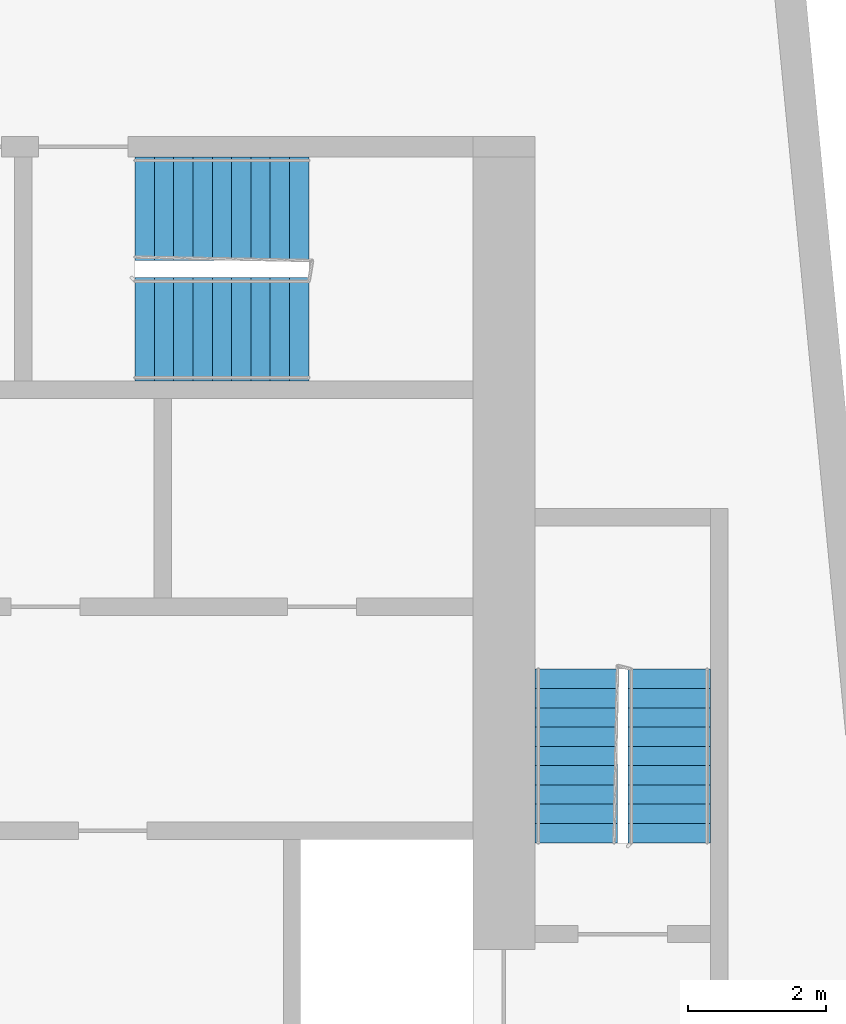
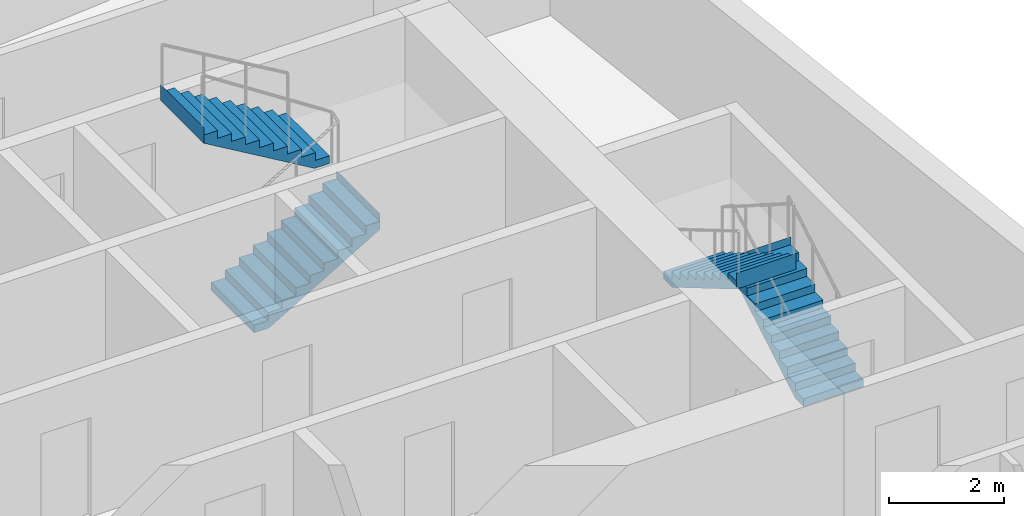
# One storey, part 10 of 11: 4 stair flights, 2 elements without a shape of their own.
"""IFC4 building model written with IfcOpenShell, lengths in metres."""

from ifc_helpers import new_model, si_unit, direction, frame, origin, place, context, subcontext, project, spatial, faceted_brep, material, type_object, element, aggregate, save


model = new_model("IFC4")

# Units and contexts
model_context = context("Model", 3, precision=1e-05, world=origin(), true_north=direction((0.0, 1.0)))
body_context = subcontext(model_context, "Body", "Model", "MODEL_VIEW")
ifc_project = project(units=[si_unit("LENGTHUNIT", "METRE"), si_unit("AREAUNIT", "SQUARE_METRE"), si_unit("VOLUMEUNIT", "CUBIC_METRE"), si_unit("PLANEANGLEUNIT", "RADIAN"), si_unit("MASSUNIT", "GRAM", prefix="KILO")], contexts=[model_context])

# Site, building, storey
site_placement = place(None, origin())
site = spatial("IfcSite", under=ifc_project, at=site_placement, CompositionType="ELEMENT")
building_placement = place(site_placement, origin())
building = spatial("IfcBuilding", under=site, at=building_placement, Name="Kajstack Hotel Tower", CompositionType="ELEMENT")
storey_placement = place(building_placement, frame((0.0, 0.0, 285.0)))
storey = spatial("IfcBuildingStorey", under=building, at=storey_placement, Name="L71", CompositionType="ELEMENT", Elevation=285.0)

# Stair, stair flights
ifc_material = material(Name="Concrete C40/50", Category="concrete")
stair_type_1 = type_object("IfcStairType", Name="Exit stair 1200", PredefinedType="HALF_TURN_STAIR", material=ifc_material)
stair_1_placement = place(storey_placement, origin())
stair_1 = element("IfcStair", 1, at=stair_1_placement, inside=storey, type_object=stair_type_1, Name="L71 stair E1", PredefinedType="HALF_TURN_STAIR")
stair_flight_type_1 = type_object("IfcStairFlightType", Name="Exit stair flight 1200", PredefinedType="STRAIGHT", material=ifc_material)
stair_flight_1_placement = place(storey_placement, frame((33.449951171875, 5.25, 0.0), z_axis=(0.0, 0.0, 1.0), x_axis=(0.0, 1.0, 0.0)))
stair_flight_1 = element("IfcStairFlight", 2, at=stair_flight_1_placement, type_object=stair_flight_type_1, Name="E1 flight 1", NumberOfRisers=10, NumberOfTreads=9, PredefinedType="STRAIGHT", RiserHeight=0.165, TreadLength=0.28, context=body_context, shape_type="Brep", body=[
    faceted_brep([(0.295654296875, -0.60009765625, 0.0), (2.5205078125, -0.60009765625, 1.31103515625), (2.5205078125, -0.60009765625, 1.64990234375), (2.52001953125, -0.60009765625, 1.64990234375), (2.52001953125, -0.60009765625, 1.485107421875), (2.239990234375, -0.60009765625, 1.485107421875), (2.239990234375, -0.60009765625, 1.320068359375), (1.9599609375, -0.60009765625, 1.320068359375), (1.9599609375, -0.60009765625, 1.155029296875), (1.679931640625, -0.60009765625, 1.155029296875), (1.679931640625, -0.60009765625, 0.989990234375), (1.39990234375, -0.60009765625, 0.989990234375), (1.39990234375, -0.60009765625, 0.824951171875), (1.1201171875, -0.60009765625, 0.824951171875), (1.1201171875, -0.60009765625, 0.659912109375), (0.840087890625, -0.60009765625, 0.659912109375), (0.840087890625, -0.60009765625, 0.4951171875), (0.56005859375, -0.60009765625, 0.4951171875), (0.56005859375, -0.60009765625, 0.330078125), (0.280029296875, -0.60009765625, 0.330078125), (0.280029296875, -0.60009765625, 0.1650390625), (-0.00048828125, -0.60009765625, 0.1650390625), (-0.00048828125, -0.60009765625, 0.0), (-0.00048828125, 0.60009765625, 0.0), (-0.00048828125, 0.60009765625, 0.1650390625), (0.280029296875, 0.60009765625, 0.1650390625), (0.280029296875, 0.60009765625, 0.330078125), (0.56005859375, 0.60009765625, 0.330078125), (0.56005859375, 0.60009765625, 0.4951171875), (0.840087890625, 0.60009765625, 0.4951171875), (0.840087890625, 0.60009765625, 0.659912109375), (1.1201171875, 0.60009765625, 0.659912109375), (1.1201171875, 0.60009765625, 0.824951171875), (1.39990234375, 0.60009765625, 0.824951171875), (1.39990234375, 0.60009765625, 0.989990234375), (1.679931640625, 0.60009765625, 0.989990234375), (1.679931640625, 0.60009765625, 1.155029296875), (1.9599609375, 0.60009765625, 1.155029296875), (1.9599609375, 0.60009765625, 1.320068359375), (2.239990234375, 0.60009765625, 1.320068359375), (2.239990234375, 0.60009765625, 1.485107421875), (2.52001953125, 0.60009765625, 1.485107421875), (2.52001953125, 0.60009765625, 1.64990234375), (2.5205078125, 0.60009765625, 1.64990234375), (2.5205078125, 0.60009765625, 1.31103515625), (0.295654296875, 0.60009765625, 0.0), (-0.00048828125, -0.300048828125, 0.1650390625), (-0.00048828125, 0.0, 0.1650390625), (-0.00048828125, 0.300048828125, 0.1650390625), (-0.00048828125, 0.300048828125, 0.0), (-0.00048828125, 0.0, 0.0), (-0.00048828125, -0.300048828125, 0.0), (0.280029296875, -0.300048828125, 0.1650390625), (0.280029296875, 0.0, 0.1650390625), (0.280029296875, 0.300048828125, 0.1650390625), (0.280029296875, -0.300048828125, 0.330078125), (0.280029296875, 0.0, 0.330078125), (0.280029296875, 0.300048828125, 0.330078125), (0.56005859375, -0.300048828125, 0.330078125), (0.56005859375, 0.0, 0.330078125), (0.56005859375, 0.300048828125, 0.330078125), (0.56005859375, -0.300048828125, 0.4951171875), (0.56005859375, 0.0, 0.4951171875), (0.56005859375, 0.300048828125, 0.4951171875), (0.840087890625, -0.300048828125, 0.4951171875), (0.840087890625, 0.0, 0.4951171875), (0.840087890625, 0.300048828125, 0.4951171875), (0.840087890625, -0.300048828125, 0.659912109375), (0.840087890625, 0.0, 0.659912109375), (0.840087890625, 0.300048828125, 0.659912109375), (1.1201171875, -0.300048828125, 0.659912109375), (1.1201171875, 0.0, 0.659912109375), (1.1201171875, 0.300048828125, 0.659912109375), (1.1201171875, -0.300048828125, 0.824951171875), (1.1201171875, 0.0, 0.824951171875), (1.1201171875, 0.300048828125, 0.824951171875), (1.39990234375, -0.300048828125, 0.824951171875), (1.39990234375, 0.0, 0.824951171875), (1.39990234375, 0.300048828125, 0.824951171875), (1.39990234375, -0.300048828125, 0.989990234375), (1.39990234375, 0.0, 0.989990234375), (1.39990234375, 0.300048828125, 0.989990234375), (1.679931640625, -0.300048828125, 0.989990234375), (1.679931640625, 0.0, 0.989990234375), (1.679931640625, 0.300048828125, 0.989990234375), (1.679931640625, -0.300048828125, 1.155029296875), (1.679931640625, 0.0, 1.155029296875), (1.679931640625, 0.300048828125, 1.155029296875), (1.9599609375, -0.300048828125, 1.155029296875), (1.9599609375, 0.0, 1.155029296875), (1.9599609375, 0.300048828125, 1.155029296875), (1.9599609375, -0.300048828125, 1.320068359375), (1.9599609375, 0.0, 1.320068359375), (1.9599609375, 0.300048828125, 1.320068359375), (2.239990234375, -0.300048828125, 1.320068359375), (2.239990234375, 0.0, 1.320068359375), (2.239990234375, 0.300048828125, 1.320068359375), (2.239990234375, -0.300048828125, 1.485107421875), (2.239990234375, 0.0, 1.485107421875), (2.239990234375, 0.300048828125, 1.485107421875), (2.52001953125, -0.300048828125, 1.485107421875), (2.52001953125, 0.0, 1.485107421875), (2.52001953125, 0.300048828125, 1.485107421875), (2.52001953125, -0.300048828125, 1.64990234375), (2.52001953125, 0.0, 1.64990234375), (2.52001953125, 0.300048828125, 1.64990234375), (2.5205078125, -0.300048828125, 1.64990234375), (2.5205078125, 0.0, 1.64990234375), (2.5205078125, 0.300048828125, 1.64990234375), (2.5205078125, -0.300048828125, 1.31103515625), (2.5205078125, 0.0, 1.31103515625), (2.5205078125, 0.300048828125, 1.31103515625), (0.295654296875, -0.300048828125, 0.0), (0.295654296875, 0.0, 0.0), (0.295654296875, 0.300048828125, 0.0)], [[[0, 1, 2, 3, 4, 5, 6, 7, 8, 9, 10, 11, 12, 13, 14, 15, 16, 17, 18, 19, 20, 21, 22]], [[23, 24, 25, 26, 27, 28, 29, 30, 31, 32, 33, 34, 35, 36, 37, 38, 39, 40, 41, 42, 43, 44, 45]], [[21, 46, 47, 48, 24, 23, 49, 50, 51, 22]], [[20, 52, 53, 54, 25, 24, 48, 47, 46, 21]], [[19, 55, 56, 57, 26, 25, 54, 53, 52, 20]], [[18, 58, 59, 60, 27, 26, 57, 56, 55, 19]], [[17, 61, 62, 63, 28, 27, 60, 59, 58, 18]], [[16, 64, 65, 66, 29, 28, 63, 62, 61, 17]], [[15, 67, 68, 69, 30, 29, 66, 65, 64, 16]], [[14, 70, 71, 72, 31, 30, 69, 68, 67, 15]], [[13, 73, 74, 75, 32, 31, 72, 71, 70, 14]], [[12, 76, 77, 78, 33, 32, 75, 74, 73, 13]], [[11, 79, 80, 81, 34, 33, 78, 77, 76, 12]], [[10, 82, 83, 84, 35, 34, 81, 80, 79, 11]], [[9, 85, 86, 87, 36, 35, 84, 83, 82, 10]], [[8, 88, 89, 90, 37, 36, 87, 86, 85, 9]], [[7, 91, 92, 93, 38, 37, 90, 89, 88, 8]], [[6, 94, 95, 96, 39, 38, 93, 92, 91, 7]], [[5, 97, 98, 99, 40, 39, 96, 95, 94, 6]], [[4, 100, 101, 102, 41, 40, 99, 98, 97, 5]], [[3, 103, 104, 105, 42, 41, 102, 101, 100, 4]], [[2, 106, 107, 108, 43, 42, 105, 104, 103, 3]], [[1, 109, 110, 111, 44, 43, 108, 107, 106, 2]], [[0, 112, 113, 114, 45, 44, 111, 110, 109, 1]], [[22, 51, 50, 49, 23, 45, 114, 113, 112, 0]]]),
])
stair_flight_2_placement = place(storey_placement, frame((32.10009765625, 7.77001953125, 1.64990234375), z_axis=(0.0, 0.0, 1.0), x_axis=(0.0, -1.0, 0.0)))
stair_flight_2 = element("IfcStairFlight", 3, at=stair_flight_2_placement, type_object=stair_flight_type_1, Name="E1 flight 2", NumberOfRisers=10, NumberOfTreads=9, PredefinedType="STRAIGHT", RiserHeight=0.165, TreadLength=0.28, context=body_context, shape_type="Brep", body=[
    faceted_brep([(0.295654296875, -0.60009765625, 0.0), (2.5205078125, -0.60009765625, 1.31103515625), (2.5205078125, -0.60009765625, 1.64990234375), (2.52001953125, -0.60009765625, 1.64990234375), (2.52001953125, -0.60009765625, 1.485107421875), (2.239990234375, -0.60009765625, 1.485107421875), (2.239990234375, -0.60009765625, 1.320068359375), (1.9599609375, -0.60009765625, 1.320068359375), (1.9599609375, -0.60009765625, 1.155029296875), (1.679931640625, -0.60009765625, 1.155029296875), (1.679931640625, -0.60009765625, 0.989990234375), (1.39990234375, -0.60009765625, 0.989990234375), (1.39990234375, -0.60009765625, 0.824951171875), (1.1201171875, -0.60009765625, 0.824951171875), (1.1201171875, -0.60009765625, 0.659912109375), (0.840087890625, -0.60009765625, 0.659912109375), (0.840087890625, -0.60009765625, 0.4951171875), (0.56005859375, -0.60009765625, 0.4951171875), (0.56005859375, -0.60009765625, 0.330078125), (0.280029296875, -0.60009765625, 0.330078125), (0.280029296875, -0.60009765625, 0.1650390625), (-0.00048828125, -0.60009765625, 0.1650390625), (-0.00048828125, -0.60009765625, 0.0), (-0.00048828125, 0.60009765625, 0.0), (-0.00048828125, 0.60009765625, 0.1650390625), (0.280029296875, 0.60009765625, 0.1650390625), (0.280029296875, 0.60009765625, 0.330078125), (0.56005859375, 0.60009765625, 0.330078125), (0.56005859375, 0.60009765625, 0.4951171875), (0.840087890625, 0.60009765625, 0.4951171875), (0.840087890625, 0.60009765625, 0.659912109375), (1.1201171875, 0.60009765625, 0.659912109375), (1.1201171875, 0.60009765625, 0.824951171875), (1.39990234375, 0.60009765625, 0.824951171875), (1.39990234375, 0.60009765625, 0.989990234375), (1.679931640625, 0.60009765625, 0.989990234375), (1.679931640625, 0.60009765625, 1.155029296875), (1.9599609375, 0.60009765625, 1.155029296875), (1.9599609375, 0.60009765625, 1.320068359375), (2.239990234375, 0.60009765625, 1.320068359375), (2.239990234375, 0.60009765625, 1.485107421875), (2.52001953125, 0.60009765625, 1.485107421875), (2.52001953125, 0.60009765625, 1.64990234375), (2.5205078125, 0.60009765625, 1.64990234375), (2.5205078125, 0.60009765625, 1.31103515625), (0.295654296875, 0.60009765625, 0.0), (-0.00048828125, -0.300048828125, 0.1650390625), (-0.00048828125, 0.0, 0.1650390625), (-0.00048828125, 0.300048828125, 0.1650390625), (-0.00048828125, 0.300048828125, 0.0), (-0.00048828125, 0.0, 0.0), (-0.00048828125, -0.300048828125, 0.0), (0.280029296875, -0.300048828125, 0.1650390625), (0.280029296875, 0.0, 0.1650390625), (0.280029296875, 0.300048828125, 0.1650390625), (0.280029296875, -0.300048828125, 0.330078125), (0.280029296875, 0.0, 0.330078125), (0.280029296875, 0.300048828125, 0.330078125), (0.56005859375, -0.300048828125, 0.330078125), (0.56005859375, 0.0, 0.330078125), (0.56005859375, 0.300048828125, 0.330078125), (0.56005859375, -0.300048828125, 0.4951171875), (0.56005859375, 0.0, 0.4951171875), (0.56005859375, 0.300048828125, 0.4951171875), (0.840087890625, -0.300048828125, 0.4951171875), (0.840087890625, 0.0, 0.4951171875), (0.840087890625, 0.300048828125, 0.4951171875), (0.840087890625, -0.300048828125, 0.659912109375), (0.840087890625, 0.0, 0.659912109375), (0.840087890625, 0.300048828125, 0.659912109375), (1.1201171875, -0.300048828125, 0.659912109375), (1.1201171875, 0.0, 0.659912109375), (1.1201171875, 0.300048828125, 0.659912109375), (1.1201171875, -0.300048828125, 0.824951171875), (1.1201171875, 0.0, 0.824951171875), (1.1201171875, 0.300048828125, 0.824951171875), (1.39990234375, -0.300048828125, 0.824951171875), (1.39990234375, 0.0, 0.824951171875), (1.39990234375, 0.300048828125, 0.824951171875), (1.39990234375, -0.300048828125, 0.989990234375), (1.39990234375, 0.0, 0.989990234375), (1.39990234375, 0.300048828125, 0.989990234375), (1.679931640625, -0.300048828125, 0.989990234375), (1.679931640625, 0.0, 0.989990234375), (1.679931640625, 0.300048828125, 0.989990234375), (1.679931640625, -0.300048828125, 1.155029296875), (1.679931640625, 0.0, 1.155029296875), (1.679931640625, 0.300048828125, 1.155029296875), (1.9599609375, -0.300048828125, 1.155029296875), (1.9599609375, 0.0, 1.155029296875), (1.9599609375, 0.300048828125, 1.155029296875), (1.9599609375, -0.300048828125, 1.320068359375), (1.9599609375, 0.0, 1.320068359375), (1.9599609375, 0.300048828125, 1.320068359375), (2.239990234375, -0.300048828125, 1.320068359375), (2.239990234375, 0.0, 1.320068359375), (2.239990234375, 0.300048828125, 1.320068359375), (2.239990234375, -0.300048828125, 1.485107421875), (2.239990234375, 0.0, 1.485107421875), (2.239990234375, 0.300048828125, 1.485107421875), (2.52001953125, -0.300048828125, 1.485107421875), (2.52001953125, 0.0, 1.485107421875), (2.52001953125, 0.300048828125, 1.485107421875), (2.52001953125, -0.300048828125, 1.64990234375), (2.52001953125, 0.0, 1.64990234375), (2.52001953125, 0.300048828125, 1.64990234375), (2.5205078125, -0.300048828125, 1.64990234375), (2.5205078125, 0.0, 1.64990234375), (2.5205078125, 0.300048828125, 1.64990234375), (2.5205078125, -0.300048828125, 1.31103515625), (2.5205078125, 0.0, 1.31103515625), (2.5205078125, 0.300048828125, 1.31103515625), (0.295654296875, -0.300048828125, 0.0), (0.295654296875, 0.0, 0.0), (0.295654296875, 0.300048828125, 0.0)], [[[0, 1, 2, 3, 4, 5, 6, 7, 8, 9, 10, 11, 12, 13, 14, 15, 16, 17, 18, 19, 20, 21, 22]], [[23, 24, 25, 26, 27, 28, 29, 30, 31, 32, 33, 34, 35, 36, 37, 38, 39, 40, 41, 42, 43, 44, 45]], [[21, 46, 47, 48, 24, 23, 49, 50, 51, 22]], [[20, 52, 53, 54, 25, 24, 48, 47, 46, 21]], [[19, 55, 56, 57, 26, 25, 54, 53, 52, 20]], [[18, 58, 59, 60, 27, 26, 57, 56, 55, 19]], [[17, 61, 62, 63, 28, 27, 60, 59, 58, 18]], [[16, 64, 65, 66, 29, 28, 63, 62, 61, 17]], [[15, 67, 68, 69, 30, 29, 66, 65, 64, 16]], [[14, 70, 71, 72, 31, 30, 69, 68, 67, 15]], [[13, 73, 74, 75, 32, 31, 72, 71, 70, 14]], [[12, 76, 77, 78, 33, 32, 75, 74, 73, 13]], [[11, 79, 80, 81, 34, 33, 78, 77, 76, 12]], [[10, 82, 83, 84, 35, 34, 81, 80, 79, 11]], [[9, 85, 86, 87, 36, 35, 84, 83, 82, 10]], [[8, 88, 89, 90, 37, 36, 87, 86, 85, 9]], [[7, 91, 92, 93, 38, 37, 90, 89, 88, 8]], [[6, 94, 95, 96, 39, 38, 93, 92, 91, 7]], [[5, 97, 98, 99, 40, 39, 96, 95, 94, 6]], [[4, 100, 101, 102, 41, 40, 99, 98, 97, 5]], [[3, 103, 104, 105, 42, 41, 102, 101, 100, 4]], [[2, 106, 107, 108, 43, 42, 105, 104, 103, 3]], [[1, 109, 110, 111, 44, 43, 108, 107, 106, 2]], [[0, 112, 113, 114, 45, 44, 111, 110, 109, 1]], [[22, 51, 50, 49, 23, 45, 114, 113, 112, 0]]]),
])
aggregate(stair_1, [stair_flight_1, stair_flight_2])

stair_type_2 = type_object("IfcStairType", Name="Exit stair 1500", PredefinedType="HALF_TURN_STAIR", material=ifc_material)
stair_2_placement = place(storey_placement, origin())
stair_2 = element("IfcStair", 4, at=stair_2_placement, inside=storey, type_object=stair_type_2, Name="L71 stair E3", PredefinedType="HALF_TURN_STAIR")
stair_flight_type_2 = type_object("IfcStairFlightType", Name="Exit stair flight 1500", PredefinedType="STRAIGHT", material=ifc_material)
stair_flight_3_placement = place(storey_placement, frame((25.699951171875, 12.699951171875, 0.0), z_axis=(0.0, 0.0, 1.0), x_axis=(1.0, 0.0, 0.0)))
stair_flight_3 = element("IfcStairFlight", 5, at=stair_flight_3_placement, type_object=stair_flight_type_2, Name="E3 flight 1", NumberOfRisers=10, NumberOfTreads=9, PredefinedType="STRAIGHT", RiserHeight=0.165, TreadLength=0.28, context=body_context, shape_type="Brep", body=[
    faceted_brep([(0.295654296875, -0.75, 0.0), (2.5205078125, -0.75, 1.31103515625), (2.5205078125, -0.75, 1.64990234375), (2.52001953125, -0.75, 1.64990234375), (2.52001953125, -0.75, 1.485107421875), (2.239990234375, -0.75, 1.485107421875), (2.239990234375, -0.75, 1.320068359375), (1.9599609375, -0.75, 1.320068359375), (1.9599609375, -0.75, 1.155029296875), (1.679931640625, -0.75, 1.155029296875), (1.679931640625, -0.75, 0.989990234375), (1.39990234375, -0.75, 0.989990234375), (1.39990234375, -0.75, 0.824951171875), (1.1201171875, -0.75, 0.824951171875), (1.1201171875, -0.75, 0.659912109375), (0.840087890625, -0.75, 0.659912109375), (0.840087890625, -0.75, 0.4951171875), (0.56005859375, -0.75, 0.4951171875), (0.56005859375, -0.75, 0.330078125), (0.280029296875, -0.75, 0.330078125), (0.280029296875, -0.75, 0.1650390625), (-0.00048828125, -0.75, 0.1650390625), (-0.00048828125, -0.75, 0.0), (-0.00048828125, 0.75, 0.0), (-0.00048828125, 0.75, 0.1650390625), (0.280029296875, 0.75, 0.1650390625), (0.280029296875, 0.75, 0.330078125), (0.56005859375, 0.75, 0.330078125), (0.56005859375, 0.75, 0.4951171875), (0.840087890625, 0.75, 0.4951171875), (0.840087890625, 0.75, 0.659912109375), (1.1201171875, 0.75, 0.659912109375), (1.1201171875, 0.75, 0.824951171875), (1.39990234375, 0.75, 0.824951171875), (1.39990234375, 0.75, 0.989990234375), (1.679931640625, 0.75, 0.989990234375), (1.679931640625, 0.75, 1.155029296875), (1.9599609375, 0.75, 1.155029296875), (1.9599609375, 0.75, 1.320068359375), (2.239990234375, 0.75, 1.320068359375), (2.239990234375, 0.75, 1.485107421875), (2.52001953125, 0.75, 1.485107421875), (2.52001953125, 0.75, 1.64990234375), (2.5205078125, 0.75, 1.64990234375), (2.5205078125, 0.75, 1.31103515625), (0.295654296875, 0.75, 0.0), (-0.00048828125, -0.375, 0.1650390625), (-0.00048828125, 0.0, 0.1650390625), (-0.00048828125, 0.375, 0.1650390625), (-0.00048828125, 0.375, 0.0), (-0.00048828125, 0.0, 0.0), (-0.00048828125, -0.375, 0.0), (0.280029296875, -0.375, 0.1650390625), (0.280029296875, 0.0, 0.1650390625), (0.280029296875, 0.375, 0.1650390625), (0.280029296875, -0.375, 0.330078125), (0.280029296875, 0.0, 0.330078125), (0.280029296875, 0.375, 0.330078125), (0.56005859375, -0.375, 0.330078125), (0.56005859375, 0.0, 0.330078125), (0.56005859375, 0.375, 0.330078125), (0.56005859375, -0.375, 0.4951171875), (0.56005859375, 0.0, 0.4951171875), (0.56005859375, 0.375, 0.4951171875), (0.840087890625, -0.375, 0.4951171875), (0.840087890625, 0.0, 0.4951171875), (0.840087890625, 0.375, 0.4951171875), (0.840087890625, -0.375, 0.659912109375), (0.840087890625, 0.0, 0.659912109375), (0.840087890625, 0.375, 0.659912109375), (1.1201171875, -0.375, 0.659912109375), (1.1201171875, 0.0, 0.659912109375), (1.1201171875, 0.375, 0.659912109375), (1.1201171875, -0.375, 0.824951171875), (1.1201171875, 0.0, 0.824951171875), (1.1201171875, 0.375, 0.824951171875), (1.39990234375, -0.375, 0.824951171875), (1.39990234375, 0.0, 0.824951171875), (1.39990234375, 0.375, 0.824951171875), (1.39990234375, -0.375, 0.989990234375), (1.39990234375, 0.0, 0.989990234375), (1.39990234375, 0.375, 0.989990234375), (1.679931640625, -0.375, 0.989990234375), (1.679931640625, 0.0, 0.989990234375), (1.679931640625, 0.375, 0.989990234375), (1.679931640625, -0.375, 1.155029296875), (1.679931640625, 0.0, 1.155029296875), (1.679931640625, 0.375, 1.155029296875), (1.9599609375, -0.375, 1.155029296875), (1.9599609375, 0.0, 1.155029296875), (1.9599609375, 0.375, 1.155029296875), (1.9599609375, -0.375, 1.320068359375), (1.9599609375, 0.0, 1.320068359375), (1.9599609375, 0.375, 1.320068359375), (2.239990234375, -0.375, 1.320068359375), (2.239990234375, 0.0, 1.320068359375), (2.239990234375, 0.375, 1.320068359375), (2.239990234375, -0.375, 1.485107421875), (2.239990234375, 0.0, 1.485107421875), (2.239990234375, 0.375, 1.485107421875), (2.52001953125, -0.375, 1.485107421875), (2.52001953125, 0.0, 1.485107421875), (2.52001953125, 0.375, 1.485107421875), (2.52001953125, -0.375, 1.64990234375), (2.52001953125, 0.0, 1.64990234375), (2.52001953125, 0.375, 1.64990234375), (2.5205078125, -0.375, 1.64990234375), (2.5205078125, 0.0, 1.64990234375), (2.5205078125, 0.375, 1.64990234375), (2.5205078125, -0.375, 1.31103515625), (2.5205078125, 0.0, 1.31103515625), (2.5205078125, 0.375, 1.31103515625), (0.295654296875, -0.375, 0.0), (0.295654296875, 0.0, 0.0), (0.295654296875, 0.375, 0.0)], [[[0, 1, 2, 3, 4, 5, 6, 7, 8, 9, 10, 11, 12, 13, 14, 15, 16, 17, 18, 19, 20, 21, 22]], [[23, 24, 25, 26, 27, 28, 29, 30, 31, 32, 33, 34, 35, 36, 37, 38, 39, 40, 41, 42, 43, 44, 45]], [[21, 46, 47, 48, 24, 23, 49, 50, 51, 22]], [[20, 52, 53, 54, 25, 24, 48, 47, 46, 21]], [[19, 55, 56, 57, 26, 25, 54, 53, 52, 20]], [[18, 58, 59, 60, 27, 26, 57, 56, 55, 19]], [[17, 61, 62, 63, 28, 27, 60, 59, 58, 18]], [[16, 64, 65, 66, 29, 28, 63, 62, 61, 17]], [[15, 67, 68, 69, 30, 29, 66, 65, 64, 16]], [[14, 70, 71, 72, 31, 30, 69, 68, 67, 15]], [[13, 73, 74, 75, 32, 31, 72, 71, 70, 14]], [[12, 76, 77, 78, 33, 32, 75, 74, 73, 13]], [[11, 79, 80, 81, 34, 33, 78, 77, 76, 12]], [[10, 82, 83, 84, 35, 34, 81, 80, 79, 11]], [[9, 85, 86, 87, 36, 35, 84, 83, 82, 10]], [[8, 88, 89, 90, 37, 36, 87, 86, 85, 9]], [[7, 91, 92, 93, 38, 37, 90, 89, 88, 8]], [[6, 94, 95, 96, 39, 38, 93, 92, 91, 7]], [[5, 97, 98, 99, 40, 39, 96, 95, 94, 6]], [[4, 100, 101, 102, 41, 40, 99, 98, 97, 5]], [[3, 103, 104, 105, 42, 41, 102, 101, 100, 4]], [[2, 106, 107, 108, 43, 42, 105, 104, 103, 3]], [[1, 109, 110, 111, 44, 43, 108, 107, 106, 2]], [[0, 112, 113, 114, 45, 44, 111, 110, 109, 1]], [[22, 51, 50, 49, 23, 45, 114, 113, 112, 0]]]),
])
stair_flight_4_placement = place(storey_placement, frame((28.219970703125, 14.449951171875, 1.64990234375), z_axis=(0.0, 0.0, 1.0), x_axis=(-1.0, 0.0, 0.0)))
stair_flight_4 = element("IfcStairFlight", 6, at=stair_flight_4_placement, type_object=stair_flight_type_2, Name="E3 flight 2", NumberOfRisers=10, NumberOfTreads=9, PredefinedType="STRAIGHT", RiserHeight=0.165, TreadLength=0.28, context=body_context, shape_type="Brep", body=[
    faceted_brep([(0.295654296875, -0.75, 0.0), (2.5205078125, -0.75, 1.31103515625), (2.5205078125, -0.75, 1.64990234375), (2.52001953125, -0.75, 1.64990234375), (2.52001953125, -0.75, 1.485107421875), (2.239990234375, -0.75, 1.485107421875), (2.239990234375, -0.75, 1.320068359375), (1.9599609375, -0.75, 1.320068359375), (1.9599609375, -0.75, 1.155029296875), (1.679931640625, -0.75, 1.155029296875), (1.679931640625, -0.75, 0.989990234375), (1.39990234375, -0.75, 0.989990234375), (1.39990234375, -0.75, 0.824951171875), (1.1201171875, -0.75, 0.824951171875), (1.1201171875, -0.75, 0.659912109375), (0.840087890625, -0.75, 0.659912109375), (0.840087890625, -0.75, 0.4951171875), (0.56005859375, -0.75, 0.4951171875), (0.56005859375, -0.75, 0.330078125), (0.280029296875, -0.75, 0.330078125), (0.280029296875, -0.75, 0.1650390625), (-0.00048828125, -0.75, 0.1650390625), (-0.00048828125, -0.75, 0.0), (-0.00048828125, 0.75, 0.0), (-0.00048828125, 0.75, 0.1650390625), (0.280029296875, 0.75, 0.1650390625), (0.280029296875, 0.75, 0.330078125), (0.56005859375, 0.75, 0.330078125), (0.56005859375, 0.75, 0.4951171875), (0.840087890625, 0.75, 0.4951171875), (0.840087890625, 0.75, 0.659912109375), (1.1201171875, 0.75, 0.659912109375), (1.1201171875, 0.75, 0.824951171875), (1.39990234375, 0.75, 0.824951171875), (1.39990234375, 0.75, 0.989990234375), (1.679931640625, 0.75, 0.989990234375), (1.679931640625, 0.75, 1.155029296875), (1.9599609375, 0.75, 1.155029296875), (1.9599609375, 0.75, 1.320068359375), (2.239990234375, 0.75, 1.320068359375), (2.239990234375, 0.75, 1.485107421875), (2.52001953125, 0.75, 1.485107421875), (2.52001953125, 0.75, 1.64990234375), (2.5205078125, 0.75, 1.64990234375), (2.5205078125, 0.75, 1.31103515625), (0.295654296875, 0.75, 0.0), (-0.00048828125, -0.375, 0.1650390625), (-0.00048828125, 0.0, 0.1650390625), (-0.00048828125, 0.375, 0.1650390625), (-0.00048828125, 0.375, 0.0), (-0.00048828125, 0.0, 0.0), (-0.00048828125, -0.375, 0.0), (0.280029296875, -0.375, 0.1650390625), (0.280029296875, 0.0, 0.1650390625), (0.280029296875, 0.375, 0.1650390625), (0.280029296875, -0.375, 0.330078125), (0.280029296875, 0.0, 0.330078125), (0.280029296875, 0.375, 0.330078125), (0.56005859375, -0.375, 0.330078125), (0.56005859375, 0.0, 0.330078125), (0.56005859375, 0.375, 0.330078125), (0.56005859375, -0.375, 0.4951171875), (0.56005859375, 0.0, 0.4951171875), (0.56005859375, 0.375, 0.4951171875), (0.840087890625, -0.375, 0.4951171875), (0.840087890625, 0.0, 0.4951171875), (0.840087890625, 0.375, 0.4951171875), (0.840087890625, -0.375, 0.659912109375), (0.840087890625, 0.0, 0.659912109375), (0.840087890625, 0.375, 0.659912109375), (1.1201171875, -0.375, 0.659912109375), (1.1201171875, 0.0, 0.659912109375), (1.1201171875, 0.375, 0.659912109375), (1.1201171875, -0.375, 0.824951171875), (1.1201171875, 0.0, 0.824951171875), (1.1201171875, 0.375, 0.824951171875), (1.39990234375, -0.375, 0.824951171875), (1.39990234375, 0.0, 0.824951171875), (1.39990234375, 0.375, 0.824951171875), (1.39990234375, -0.375, 0.989990234375), (1.39990234375, 0.0, 0.989990234375), (1.39990234375, 0.375, 0.989990234375), (1.679931640625, -0.375, 0.989990234375), (1.679931640625, 0.0, 0.989990234375), (1.679931640625, 0.375, 0.989990234375), (1.679931640625, -0.375, 1.155029296875), (1.679931640625, 0.0, 1.155029296875), (1.679931640625, 0.375, 1.155029296875), (1.9599609375, -0.375, 1.155029296875), (1.9599609375, 0.0, 1.155029296875), (1.9599609375, 0.375, 1.155029296875), (1.9599609375, -0.375, 1.320068359375), (1.9599609375, 0.0, 1.320068359375), (1.9599609375, 0.375, 1.320068359375), (2.239990234375, -0.375, 1.320068359375), (2.239990234375, 0.0, 1.320068359375), (2.239990234375, 0.375, 1.320068359375), (2.239990234375, -0.375, 1.485107421875), (2.239990234375, 0.0, 1.485107421875), (2.239990234375, 0.375, 1.485107421875), (2.52001953125, -0.375, 1.485107421875), (2.52001953125, 0.0, 1.485107421875), (2.52001953125, 0.375, 1.485107421875), (2.52001953125, -0.375, 1.64990234375), (2.52001953125, 0.0, 1.64990234375), (2.52001953125, 0.375, 1.64990234375), (2.5205078125, -0.375, 1.64990234375), (2.5205078125, 0.0, 1.64990234375), (2.5205078125, 0.375, 1.64990234375), (2.5205078125, -0.375, 1.31103515625), (2.5205078125, 0.0, 1.31103515625), (2.5205078125, 0.375, 1.31103515625), (0.295654296875, -0.375, 0.0), (0.295654296875, 0.0, 0.0), (0.295654296875, 0.375, 0.0)], [[[0, 1, 2, 3, 4, 5, 6, 7, 8, 9, 10, 11, 12, 13, 14, 15, 16, 17, 18, 19, 20, 21, 22]], [[23, 24, 25, 26, 27, 28, 29, 30, 31, 32, 33, 34, 35, 36, 37, 38, 39, 40, 41, 42, 43, 44, 45]], [[21, 46, 47, 48, 24, 23, 49, 50, 51, 22]], [[20, 52, 53, 54, 25, 24, 48, 47, 46, 21]], [[19, 55, 56, 57, 26, 25, 54, 53, 52, 20]], [[18, 58, 59, 60, 27, 26, 57, 56, 55, 19]], [[17, 61, 62, 63, 28, 27, 60, 59, 58, 18]], [[16, 64, 65, 66, 29, 28, 63, 62, 61, 17]], [[15, 67, 68, 69, 30, 29, 66, 65, 64, 16]], [[14, 70, 71, 72, 31, 30, 69, 68, 67, 15]], [[13, 73, 74, 75, 32, 31, 72, 71, 70, 14]], [[12, 76, 77, 78, 33, 32, 75, 74, 73, 13]], [[11, 79, 80, 81, 34, 33, 78, 77, 76, 12]], [[10, 82, 83, 84, 35, 34, 81, 80, 79, 11]], [[9, 85, 86, 87, 36, 35, 84, 83, 82, 10]], [[8, 88, 89, 90, 37, 36, 87, 86, 85, 9]], [[7, 91, 92, 93, 38, 37, 90, 89, 88, 8]], [[6, 94, 95, 96, 39, 38, 93, 92, 91, 7]], [[5, 97, 98, 99, 40, 39, 96, 95, 94, 6]], [[4, 100, 101, 102, 41, 40, 99, 98, 97, 5]], [[3, 103, 104, 105, 42, 41, 102, 101, 100, 4]], [[2, 106, 107, 108, 43, 42, 105, 104, 103, 3]], [[1, 109, 110, 111, 44, 43, 108, 107, 106, 2]], [[0, 112, 113, 114, 45, 44, 111, 110, 109, 1]], [[22, 51, 50, 49, 23, 45, 114, 113, 112, 0]]]),
])
aggregate(stair_2, [stair_flight_3, stair_flight_4])

save(model, "model.ifc")
